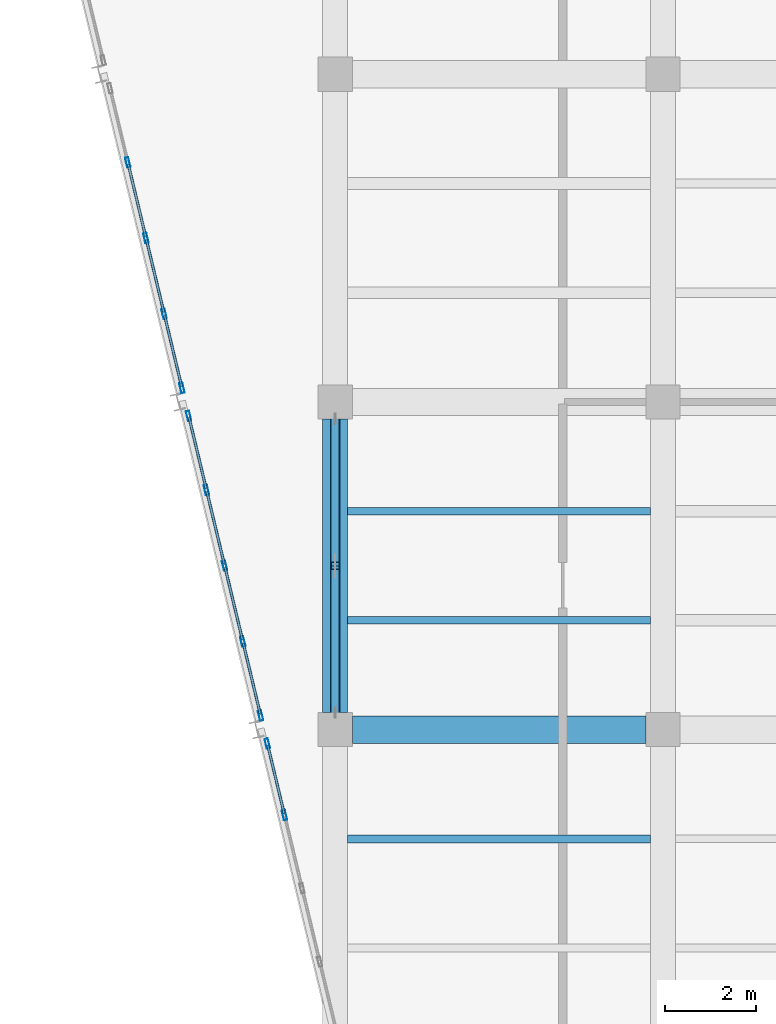
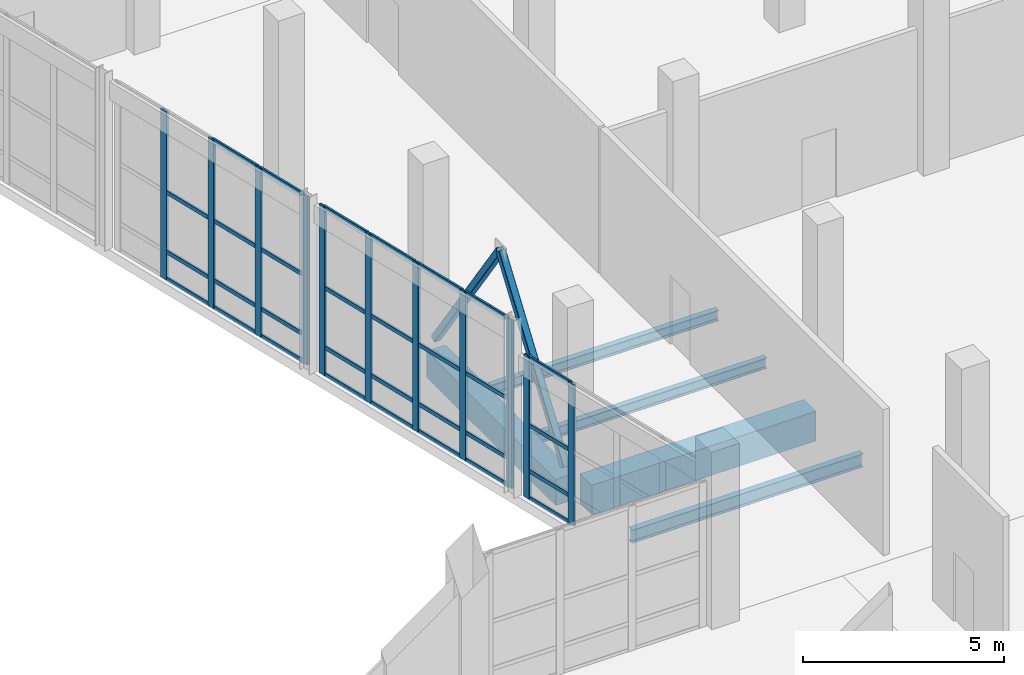
# One storey, part 71 of 137: 44 members, 5 beams, 3 elements without a shape of their own.
"""IFC4 building model written with IfcOpenShell, lengths in metres."""

from ifc_helpers import new_model, si_unit, direction, frame, origin, origin_2d, place, context, subcontext, project, spatial, rectangle, hollow_rectangle, i_section, extrude, material, material_profile, profile_set, type_object, element, aggregate, save


model = new_model("IFC4")

# Units and contexts
model_context = context("Model", 3, precision=1e-05, world=origin(), true_north=direction((0.0, 1.0)))
body_context = subcontext(model_context, "Body", "Model", "MODEL_VIEW")
ifc_project = project(units=[si_unit("LENGTHUNIT", "METRE"), si_unit("AREAUNIT", "SQUARE_METRE"), si_unit("VOLUMEUNIT", "CUBIC_METRE"), si_unit("PLANEANGLEUNIT", "RADIAN"), si_unit("MASSUNIT", "GRAM", prefix="KILO")], contexts=[model_context])

# Site, building, storey
site_placement = place(None, origin())
site = spatial("IfcSite", under=ifc_project, at=site_placement, CompositionType="ELEMENT")
building_placement = place(site_placement, origin())
building = spatial("IfcBuilding", under=site, at=building_placement, Name="Kalmorath City Hall", CompositionType="ELEMENT")
storey_placement = place(building_placement, origin())
storey = spatial("IfcBuildingStorey", under=building, at=storey_placement, Name="L00", CompositionType="ELEMENT", Elevation=0.0)

# Beams
ifc_material_1 = material(Name="Concrete C40/50", Category="concrete")
ifc_material_profile_1 = material_profile(ifc_material_1, rectangle(XDim=0.550048828125, YDim=0.800048828125, at=origin_2d()), Name="RC-BM-550X800")
ifc_profile_set_1 = profile_set([ifc_material_profile_1], Name="Concrete C40/50")
beam_type_1 = type_object("IfcBeamType", Name="Concrete floor girder 550x800", PredefinedType="BEAM", material=ifc_profile_set_1)
beam_1_placement = place(storey_placement, frame((136.800048828125, 50.77490234375, -0.7041015625), z_axis=(0.0, 1.0, 0.0), x_axis=(-1.0, 0.0, 0.0)))
element("IfcBeam", 1, at=beam_1_placement, inside=storey, type_object=beam_type_1, Name="L00 girder CB2 Y20/8-9", PredefinedType="BEAM", context=body_context, shape_type="SweptSolid", body=[
    extrude(rectangle(XDim=0.550048828125, YDim=0.800048828125, at=origin_2d()), origin(), (0.0, 0.0, 1.0), 6.4501953125),
])
ifc_material_2 = material(Name="Concrete C40/50", Category="concrete")
ifc_material_profile_2 = material_profile(ifc_material_2, rectangle(XDim=0.60009765625, YDim=0.89990234375, at=origin_2d()), Name="RC-BM-600X900")
ifc_profile_set_2 = profile_set([ifc_material_profile_2], Name="Concrete C40/50")
beam_type_2 = type_object("IfcBeamType", Name="Concrete floor girder 600x900", PredefinedType="BEAM", material=ifc_profile_set_2)
beam_2_placement = place(storey_placement, frame((137.175048828125, 50.39990234375, -0.75390625), z_axis=(1.0, 0.0, 0.0), x_axis=(0.0, 1.0, 0.0)))
element("IfcBeam", 2, at=beam_2_placement, inside=storey, type_object=beam_type_2, Name="L00 girder CB1 X20-21/8", PredefinedType="BEAM", context=body_context, shape_type="SweptSolid", body=[
    extrude(rectangle(XDim=0.60009765625, YDim=0.89990234375, at=origin_2d()), origin(), (0.0, 0.0, 1.0), 6.449951171875),
])

# Curtain wall, members
ifc_material_3 = material(Name="Anodised aluminium and laminated glass", Category="aluminium")
curtain_wall_type_1 = type_object("IfcCurtainWallType", Name="Unitised hurricane curtain wall 6623x4311 M1850", PredefinedType="NOTDEFINED", material=ifc_material_3)
curtain_wall_1_placement = place(storey_placement, origin())
curtain_wall_1 = element("IfcCurtainWall", 3, at=curtain_wall_1_placement, inside=storey, type_object=curtain_wall_type_1, Name="L00 curtain wall CW-66X43M18 #41", PredefinedType="NOTDEFINED")
ifc_material_4 = material(Name="Anodised aluminium framing", Category="aluminium")
ifc_material_profile_3 = material_profile(ifc_material_4, hollow_rectangle(XDim=0.06005859375, YDim=0.1298828125, WallThickness=0.00341796875, InnerFilletRadius=0.00341796875, OuterFilletRadius=0.007080078125, at=origin_2d()), Name="ALU-TRN-130X60X3.5")
ifc_profile_set_3 = profile_set([ifc_material_profile_3], Name="Anodised aluminium framing")
member_type_1 = type_object("IfcMemberType", Name="Curtain-wall courtyard transom 130x60", PredefinedType="USERDEFINED", material=ifc_profile_set_3)
member_1_placement = place(storey_placement, frame((135.678466796875, 48.556396484375, 0.030029296875), z_axis=(-0.233480641093, 0.972361450406, 0.0), x_axis=(-0.972361450406, -0.233480641093, 0.0)))
member_1 = element("IfcMember", 4, at=member_1_placement, type_object=member_type_1, Name="CW-66X43M18 transom 4.1", ObjectType="TRANSOM", PredefinedType="USERDEFINED", context=body_context, shape_type="SweptSolid", body=[
    extrude(hollow_rectangle(XDim=0.06005859375, YDim=0.1298828125, WallThickness=0.00341796875, InnerFilletRadius=0.00341796875, OuterFilletRadius=0.007080078125, at=origin_2d()), origin(), (0.0, 0.0, 1.0), 1.54345703125),
])
member_2_placement = place(storey_placement, frame((135.678466796875, 48.556396484375, 0.85009765625), z_axis=(-0.233480641093, 0.972361450406, 0.0), x_axis=(-0.972361450406, -0.233480641093, 0.0)))
member_2 = element("IfcMember", 5, at=member_2_placement, type_object=member_type_1, Name="CW-66X43M18 transom 4.2", ObjectType="TRANSOM", PredefinedType="USERDEFINED", context=body_context, shape_type="SweptSolid", body=[
    extrude(hollow_rectangle(XDim=0.06005859375, YDim=0.1298828125, WallThickness=0.00341796875, InnerFilletRadius=0.00341796875, OuterFilletRadius=0.007080078125, at=origin_2d()), origin(), (0.0, 0.0, 1.0), 1.54345703125),
])
member_3_placement = place(storey_placement, frame((135.678466796875, 48.556396484375, 2.241943359375), z_axis=(-0.233480641093, 0.972361450406, 0.0), x_axis=(-0.972361450406, -0.233480641093, 0.0)))
member_3 = element("IfcMember", 6, at=member_3_placement, type_object=member_type_1, Name="CW-66X43M18 transom 4.3", ObjectType="TRANSOM", PredefinedType="USERDEFINED", context=body_context, shape_type="SweptSolid", body=[
    extrude(hollow_rectangle(XDim=0.06005859375, YDim=0.1298828125, WallThickness=0.00341796875, InnerFilletRadius=0.00341796875, OuterFilletRadius=0.007080078125, at=origin_2d()), origin(), (0.0, 0.0, 1.0), 1.54345703125),
])
member_4_placement = place(storey_placement, frame((135.678466796875, 48.556396484375, 4.281005859375), z_axis=(-0.233480641093, 0.972361450406, 0.0), x_axis=(-0.972361450406, -0.233480641093, 0.0)))
member_4 = element("IfcMember", 7, at=member_4_placement, type_object=member_type_1, Name="CW-66X43M18 transom 4.4", ObjectType="TRANSOM", PredefinedType="USERDEFINED", context=body_context, shape_type="SweptSolid", body=[
    extrude(hollow_rectangle(XDim=0.06005859375, YDim=0.1298828125, WallThickness=0.00341796875, InnerFilletRadius=0.00341796875, OuterFilletRadius=0.007080078125, at=origin_2d()), origin(), (0.0, 0.0, 1.0), 1.54345703125),
])

ifc_material_5 = material(Name="Anodised aluminium and laminated glass", Category="aluminium")
curtain_wall_type_2 = type_object("IfcCurtainWallType", Name="Unitised hurricane curtain wall 6849x5120 M1850", PredefinedType="NOTDEFINED", material=ifc_material_5)
curtain_wall_2_placement = place(storey_placement, origin())
curtain_wall_2 = element("IfcCurtainWall", 8, at=curtain_wall_2_placement, inside=storey, type_object=curtain_wall_type_2, Name="L00 curtain wall CW-68X51M18 #42", PredefinedType="NOTDEFINED")
member_5_placement = place(storey_placement, frame((135.153564453125, 50.742919921875, 0.030029296875), z_axis=(-0.233476838675, 0.972362363423, 0.0), x_axis=(-0.972362363423, -0.233476838675, 0.0)))
member_5 = element("IfcMember", 9, at=member_5_placement, type_object=member_type_1, Name="CW-68X51M18 transom 1.1", ObjectType="TRANSOM", PredefinedType="USERDEFINED", context=body_context, shape_type="SweptSolid", body=[
    extrude(hollow_rectangle(XDim=0.06005859375, YDim=0.1298828125, WallThickness=0.00341796875, InnerFilletRadius=0.00341796875, OuterFilletRadius=0.007080078125, at=origin_2d()), origin(), (0.0, 0.0, 1.0), 1.599853515625),
])
member_6_placement = place(storey_placement, frame((135.153564453125, 50.742919921875, 0.85009765625), z_axis=(-0.233476838675, 0.972362363423, 0.0), x_axis=(-0.972362363423, -0.233476838675, 0.0)))
member_6 = element("IfcMember", 10, at=member_6_placement, type_object=member_type_1, Name="CW-68X51M18 transom 1.2", ObjectType="TRANSOM", PredefinedType="USERDEFINED", context=body_context, shape_type="SweptSolid", body=[
    extrude(hollow_rectangle(XDim=0.06005859375, YDim=0.1298828125, WallThickness=0.00341796875, InnerFilletRadius=0.00341796875, OuterFilletRadius=0.007080078125, at=origin_2d()), origin(), (0.0, 0.0, 1.0), 1.599853515625),
])
member_7_placement = place(storey_placement, frame((135.153564453125, 50.742919921875, 2.662109375), z_axis=(-0.233476838675, 0.972362363423, 0.0), x_axis=(-0.972362363423, -0.233476838675, 0.0)))
member_7 = element("IfcMember", 11, at=member_7_placement, type_object=member_type_1, Name="CW-68X51M18 transom 1.3", ObjectType="TRANSOM", PredefinedType="USERDEFINED", context=body_context, shape_type="SweptSolid", body=[
    extrude(hollow_rectangle(XDim=0.06005859375, YDim=0.1298828125, WallThickness=0.00341796875, InnerFilletRadius=0.00341796875, OuterFilletRadius=0.007080078125, at=origin_2d()), origin(), (0.0, 0.0, 1.0), 1.599853515625),
])
member_8_placement = place(storey_placement, frame((135.153564453125, 50.742919921875, 5.090087890625), z_axis=(-0.233476838675, 0.972362363423, 0.0), x_axis=(-0.972362363423, -0.233476838675, 0.0)))
member_8 = element("IfcMember", 12, at=member_8_placement, type_object=member_type_1, Name="CW-68X51M18 transom 1.4", ObjectType="TRANSOM", PredefinedType="USERDEFINED", context=body_context, shape_type="SweptSolid", body=[
    extrude(hollow_rectangle(XDim=0.06005859375, YDim=0.1298828125, WallThickness=0.00341796875, InnerFilletRadius=0.00341796875, OuterFilletRadius=0.007080078125, at=origin_2d()), origin(), (0.0, 0.0, 1.0), 1.599853515625),
])
member_9_placement = place(storey_placement, frame((134.7626953125, 52.37158203125, 0.030029296875), z_axis=(-0.233508300868, 0.972354808404, 0.0), x_axis=(-0.972354808404, -0.233508300868, 0.0)))
member_9 = element("IfcMember", 13, at=member_9_placement, type_object=member_type_1, Name="CW-68X51M18 transom 2.1", ObjectType="TRANSOM", PredefinedType="USERDEFINED", context=body_context, shape_type="SweptSolid", body=[
    extrude(hollow_rectangle(XDim=0.06005859375, YDim=0.1298828125, WallThickness=0.00341796875, InnerFilletRadius=0.00341796875, OuterFilletRadius=0.007080078125, at=origin_2d()), origin(), (0.0, 0.0, 1.0), 1.63720703125),
])
member_10_placement = place(storey_placement, frame((134.7626953125, 52.37158203125, 0.85009765625), z_axis=(-0.233508300868, 0.972354808404, 0.0), x_axis=(-0.972354808404, -0.233508300868, 0.0)))
member_10 = element("IfcMember", 14, at=member_10_placement, type_object=member_type_1, Name="CW-68X51M18 transom 2.2", ObjectType="TRANSOM", PredefinedType="USERDEFINED", context=body_context, shape_type="SweptSolid", body=[
    extrude(hollow_rectangle(XDim=0.06005859375, YDim=0.1298828125, WallThickness=0.00341796875, InnerFilletRadius=0.00341796875, OuterFilletRadius=0.007080078125, at=origin_2d()), origin(), (0.0, 0.0, 1.0), 1.63720703125),
])
member_11_placement = place(storey_placement, frame((134.7626953125, 52.37158203125, 2.662109375), z_axis=(-0.233508300868, 0.972354808404, 0.0), x_axis=(-0.972354808404, -0.233508300868, 0.0)))
member_11 = element("IfcMember", 15, at=member_11_placement, type_object=member_type_1, Name="CW-68X51M18 transom 2.3", ObjectType="TRANSOM", PredefinedType="USERDEFINED", context=body_context, shape_type="SweptSolid", body=[
    extrude(hollow_rectangle(XDim=0.06005859375, YDim=0.1298828125, WallThickness=0.00341796875, InnerFilletRadius=0.00341796875, OuterFilletRadius=0.007080078125, at=origin_2d()), origin(), (0.0, 0.0, 1.0), 1.63720703125),
])
member_12_placement = place(storey_placement, frame((134.7626953125, 52.37158203125, 5.090087890625), z_axis=(-0.233508300868, 0.972354808404, 0.0), x_axis=(-0.972354808404, -0.233508300868, 0.0)))
member_12 = element("IfcMember", 16, at=member_12_placement, type_object=member_type_1, Name="CW-68X51M18 transom 2.4", ObjectType="TRANSOM", PredefinedType="USERDEFINED", context=body_context, shape_type="SweptSolid", body=[
    extrude(hollow_rectangle(XDim=0.06005859375, YDim=0.1298828125, WallThickness=0.00341796875, InnerFilletRadius=0.00341796875, OuterFilletRadius=0.007080078125, at=origin_2d()), origin(), (0.0, 0.0, 1.0), 1.63720703125),
])
member_13_placement = place(storey_placement, frame((134.36279296875, 54.036376953125, 0.030029296875), z_axis=(-0.233367312665, 0.972388655518, 0.0), x_axis=(-0.972388655518, -0.233367312665, 0.0)))
member_13 = element("IfcMember", 17, at=member_13_placement, type_object=member_type_1, Name="CW-68X51M18 transom 3.1", ObjectType="TRANSOM", PredefinedType="USERDEFINED", context=body_context, shape_type="SweptSolid", body=[
    extrude(hollow_rectangle(XDim=0.06005859375, YDim=0.1298828125, WallThickness=0.00341796875, InnerFilletRadius=0.00341796875, OuterFilletRadius=0.007080078125, at=origin_2d()), origin(), (0.0, 0.0, 1.0), 1.63720703125),
])
member_14_placement = place(storey_placement, frame((134.36279296875, 54.036376953125, 0.85009765625), z_axis=(-0.233367312665, 0.972388655518, 0.0), x_axis=(-0.972388655518, -0.233367312665, 0.0)))
member_14 = element("IfcMember", 18, at=member_14_placement, type_object=member_type_1, Name="CW-68X51M18 transom 3.2", ObjectType="TRANSOM", PredefinedType="USERDEFINED", context=body_context, shape_type="SweptSolid", body=[
    extrude(hollow_rectangle(XDim=0.06005859375, YDim=0.1298828125, WallThickness=0.00341796875, InnerFilletRadius=0.00341796875, OuterFilletRadius=0.007080078125, at=origin_2d()), origin(), (0.0, 0.0, 1.0), 1.63720703125),
])
member_15_placement = place(storey_placement, frame((134.36279296875, 54.036376953125, 2.662109375), z_axis=(-0.233367312665, 0.972388655518, 0.0), x_axis=(-0.972388655518, -0.233367312665, 0.0)))
member_15 = element("IfcMember", 19, at=member_15_placement, type_object=member_type_1, Name="CW-68X51M18 transom 3.3", ObjectType="TRANSOM", PredefinedType="USERDEFINED", context=body_context, shape_type="SweptSolid", body=[
    extrude(hollow_rectangle(XDim=0.06005859375, YDim=0.1298828125, WallThickness=0.00341796875, InnerFilletRadius=0.00341796875, OuterFilletRadius=0.007080078125, at=origin_2d()), origin(), (0.0, 0.0, 1.0), 1.63720703125),
])
member_16_placement = place(storey_placement, frame((134.36279296875, 54.036376953125, 5.090087890625), z_axis=(-0.233367312665, 0.972388655518, 0.0), x_axis=(-0.972388655518, -0.233367312665, 0.0)))
member_16 = element("IfcMember", 20, at=member_16_placement, type_object=member_type_1, Name="CW-68X51M18 transom 3.4", ObjectType="TRANSOM", PredefinedType="USERDEFINED", context=body_context, shape_type="SweptSolid", body=[
    extrude(hollow_rectangle(XDim=0.06005859375, YDim=0.1298828125, WallThickness=0.00341796875, InnerFilletRadius=0.00341796875, OuterFilletRadius=0.007080078125, at=origin_2d()), origin(), (0.0, 0.0, 1.0), 1.63720703125),
])
member_17_placement = place(storey_placement, frame((133.963134765625, 55.701416015625, 0.030029296875), z_axis=(-0.233476838675, 0.972362363423, 0.0), x_axis=(-0.972362363423, -0.233476838675, 0.0)))
member_17 = element("IfcMember", 21, at=member_17_placement, type_object=member_type_1, Name="CW-68X51M18 transom 4.1", ObjectType="TRANSOM", PredefinedType="USERDEFINED", context=body_context, shape_type="SweptSolid", body=[
    extrude(hollow_rectangle(XDim=0.06005859375, YDim=0.1298828125, WallThickness=0.00341796875, InnerFilletRadius=0.00341796875, OuterFilletRadius=0.007080078125, at=origin_2d()), origin(), (0.0, 0.0, 1.0), 1.599853515625),
])
member_18_placement = place(storey_placement, frame((133.963134765625, 55.701416015625, 0.85009765625), z_axis=(-0.233476838675, 0.972362363423, 0.0), x_axis=(-0.972362363423, -0.233476838675, 0.0)))
member_18 = element("IfcMember", 22, at=member_18_placement, type_object=member_type_1, Name="CW-68X51M18 transom 4.2", ObjectType="TRANSOM", PredefinedType="USERDEFINED", context=body_context, shape_type="SweptSolid", body=[
    extrude(hollow_rectangle(XDim=0.06005859375, YDim=0.1298828125, WallThickness=0.00341796875, InnerFilletRadius=0.00341796875, OuterFilletRadius=0.007080078125, at=origin_2d()), origin(), (0.0, 0.0, 1.0), 1.599853515625),
])
member_19_placement = place(storey_placement, frame((133.963134765625, 55.701416015625, 2.662109375), z_axis=(-0.233476838675, 0.972362363423, 0.0), x_axis=(-0.972362363423, -0.233476838675, 0.0)))
member_19 = element("IfcMember", 23, at=member_19_placement, type_object=member_type_1, Name="CW-68X51M18 transom 4.3", ObjectType="TRANSOM", PredefinedType="USERDEFINED", context=body_context, shape_type="SweptSolid", body=[
    extrude(hollow_rectangle(XDim=0.06005859375, YDim=0.1298828125, WallThickness=0.00341796875, InnerFilletRadius=0.00341796875, OuterFilletRadius=0.007080078125, at=origin_2d()), origin(), (0.0, 0.0, 1.0), 1.599853515625),
])
member_20_placement = place(storey_placement, frame((133.963134765625, 55.701416015625, 5.090087890625), z_axis=(-0.233476838675, 0.972362363423, 0.0), x_axis=(-0.972362363423, -0.233476838675, 0.0)))
member_20 = element("IfcMember", 24, at=member_20_placement, type_object=member_type_1, Name="CW-68X51M18 transom 4.4", ObjectType="TRANSOM", PredefinedType="USERDEFINED", context=body_context, shape_type="SweptSolid", body=[
    extrude(hollow_rectangle(XDim=0.06005859375, YDim=0.1298828125, WallThickness=0.00341796875, InnerFilletRadius=0.00341796875, OuterFilletRadius=0.007080078125, at=origin_2d()), origin(), (0.0, 0.0, 1.0), 1.599853515625),
])

curtain_wall_3_placement = place(storey_placement, origin())
curtain_wall_3 = element("IfcCurtainWall", 25, at=curtain_wall_3_placement, inside=storey, type_object=curtain_wall_type_2, Name="L00 curtain wall CW-68X51M18 #43", PredefinedType="NOTDEFINED")
member_21_placement = place(storey_placement, frame((133.425048828125, 57.94287109375, 0.030029296875), z_axis=(-0.233476838675, 0.972362363423, 0.0), x_axis=(-0.972362363423, -0.233476838675, 0.0)))
member_21 = element("IfcMember", 26, at=member_21_placement, type_object=member_type_1, Name="CW-68X51M18 transom 1.1", ObjectType="TRANSOM", PredefinedType="USERDEFINED", context=body_context, shape_type="SweptSolid", body=[
    extrude(hollow_rectangle(XDim=0.06005859375, YDim=0.1298828125, WallThickness=0.00341796875, InnerFilletRadius=0.00341796875, OuterFilletRadius=0.007080078125, at=origin_2d()), origin(), (0.0, 0.0, 1.0), 1.599853515625),
])
member_22_placement = place(storey_placement, frame((133.425048828125, 57.94287109375, 0.85009765625), z_axis=(-0.233476838675, 0.972362363423, 0.0), x_axis=(-0.972362363423, -0.233476838675, 0.0)))
member_22 = element("IfcMember", 27, at=member_22_placement, type_object=member_type_1, Name="CW-68X51M18 transom 1.2", ObjectType="TRANSOM", PredefinedType="USERDEFINED", context=body_context, shape_type="SweptSolid", body=[
    extrude(hollow_rectangle(XDim=0.06005859375, YDim=0.1298828125, WallThickness=0.00341796875, InnerFilletRadius=0.00341796875, OuterFilletRadius=0.007080078125, at=origin_2d()), origin(), (0.0, 0.0, 1.0), 1.599853515625),
])
member_23_placement = place(storey_placement, frame((133.425048828125, 57.94287109375, 2.662109375), z_axis=(-0.233476838675, 0.972362363423, 0.0), x_axis=(-0.972362363423, -0.233476838675, 0.0)))
member_23 = element("IfcMember", 28, at=member_23_placement, type_object=member_type_1, Name="CW-68X51M18 transom 1.3", ObjectType="TRANSOM", PredefinedType="USERDEFINED", context=body_context, shape_type="SweptSolid", body=[
    extrude(hollow_rectangle(XDim=0.06005859375, YDim=0.1298828125, WallThickness=0.00341796875, InnerFilletRadius=0.00341796875, OuterFilletRadius=0.007080078125, at=origin_2d()), origin(), (0.0, 0.0, 1.0), 1.599853515625),
])
member_24_placement = place(storey_placement, frame((133.425048828125, 57.94287109375, 5.090087890625), z_axis=(-0.233476838675, 0.972362363423, 0.0), x_axis=(-0.972362363423, -0.233476838675, 0.0)))
member_24 = element("IfcMember", 29, at=member_24_placement, type_object=member_type_1, Name="CW-68X51M18 transom 1.4", ObjectType="TRANSOM", PredefinedType="USERDEFINED", context=body_context, shape_type="SweptSolid", body=[
    extrude(hollow_rectangle(XDim=0.06005859375, YDim=0.1298828125, WallThickness=0.00341796875, InnerFilletRadius=0.00341796875, OuterFilletRadius=0.007080078125, at=origin_2d()), origin(), (0.0, 0.0, 1.0), 1.599853515625),
])
member_25_placement = place(storey_placement, frame((133.033935546875, 59.571533203125, 0.030029296875), z_axis=(-0.233367312665, 0.972388655518, 0.0), x_axis=(-0.972388655518, -0.233367312665, 0.0)))
member_25 = element("IfcMember", 30, at=member_25_placement, type_object=member_type_1, Name="CW-68X51M18 transom 2.1", ObjectType="TRANSOM", PredefinedType="USERDEFINED", context=body_context, shape_type="SweptSolid", body=[
    extrude(hollow_rectangle(XDim=0.06005859375, YDim=0.1298828125, WallThickness=0.00341796875, InnerFilletRadius=0.00341796875, OuterFilletRadius=0.007080078125, at=origin_2d()), origin(), (0.0, 0.0, 1.0), 1.63720703125),
])
member_26_placement = place(storey_placement, frame((133.033935546875, 59.571533203125, 0.85009765625), z_axis=(-0.233367312665, 0.972388655518, 0.0), x_axis=(-0.972388655518, -0.233367312665, 0.0)))
member_26 = element("IfcMember", 31, at=member_26_placement, type_object=member_type_1, Name="CW-68X51M18 transom 2.2", ObjectType="TRANSOM", PredefinedType="USERDEFINED", context=body_context, shape_type="SweptSolid", body=[
    extrude(hollow_rectangle(XDim=0.06005859375, YDim=0.1298828125, WallThickness=0.00341796875, InnerFilletRadius=0.00341796875, OuterFilletRadius=0.007080078125, at=origin_2d()), origin(), (0.0, 0.0, 1.0), 1.63720703125),
])
member_27_placement = place(storey_placement, frame((133.033935546875, 59.571533203125, 2.662109375), z_axis=(-0.233367312665, 0.972388655518, 0.0), x_axis=(-0.972388655518, -0.233367312665, 0.0)))
member_27 = element("IfcMember", 32, at=member_27_placement, type_object=member_type_1, Name="CW-68X51M18 transom 2.3", ObjectType="TRANSOM", PredefinedType="USERDEFINED", context=body_context, shape_type="SweptSolid", body=[
    extrude(hollow_rectangle(XDim=0.06005859375, YDim=0.1298828125, WallThickness=0.00341796875, InnerFilletRadius=0.00341796875, OuterFilletRadius=0.007080078125, at=origin_2d()), origin(), (0.0, 0.0, 1.0), 1.63720703125),
])
member_28_placement = place(storey_placement, frame((133.033935546875, 59.571533203125, 5.090087890625), z_axis=(-0.233367312665, 0.972388655518, 0.0), x_axis=(-0.972388655518, -0.233367312665, 0.0)))
member_28 = element("IfcMember", 33, at=member_28_placement, type_object=member_type_1, Name="CW-68X51M18 transom 2.4", ObjectType="TRANSOM", PredefinedType="USERDEFINED", context=body_context, shape_type="SweptSolid", body=[
    extrude(hollow_rectangle(XDim=0.06005859375, YDim=0.1298828125, WallThickness=0.00341796875, InnerFilletRadius=0.00341796875, OuterFilletRadius=0.007080078125, at=origin_2d()), origin(), (0.0, 0.0, 1.0), 1.63720703125),
])
member_29_placement = place(storey_placement, frame((132.63427734375, 61.236572265625, 0.030029296875), z_axis=(-0.233508300868, 0.972354808404, 0.0), x_axis=(-0.972354808404, -0.233508300868, 0.0)))
member_29 = element("IfcMember", 34, at=member_29_placement, type_object=member_type_1, Name="CW-68X51M18 transom 3.1", ObjectType="TRANSOM", PredefinedType="USERDEFINED", context=body_context, shape_type="SweptSolid", body=[
    extrude(hollow_rectangle(XDim=0.06005859375, YDim=0.1298828125, WallThickness=0.00341796875, InnerFilletRadius=0.00341796875, OuterFilletRadius=0.007080078125, at=origin_2d()), origin(), (0.0, 0.0, 1.0), 1.63720703125),
])
member_30_placement = place(storey_placement, frame((132.63427734375, 61.236572265625, 0.85009765625), z_axis=(-0.233508300868, 0.972354808404, 0.0), x_axis=(-0.972354808404, -0.233508300868, 0.0)))
member_30 = element("IfcMember", 35, at=member_30_placement, type_object=member_type_1, Name="CW-68X51M18 transom 3.2", ObjectType="TRANSOM", PredefinedType="USERDEFINED", context=body_context, shape_type="SweptSolid", body=[
    extrude(hollow_rectangle(XDim=0.06005859375, YDim=0.1298828125, WallThickness=0.00341796875, InnerFilletRadius=0.00341796875, OuterFilletRadius=0.007080078125, at=origin_2d()), origin(), (0.0, 0.0, 1.0), 1.63720703125),
])
member_31_placement = place(storey_placement, frame((132.63427734375, 61.236572265625, 2.662109375), z_axis=(-0.233508300868, 0.972354808404, 0.0), x_axis=(-0.972354808404, -0.233508300868, 0.0)))
member_31 = element("IfcMember", 36, at=member_31_placement, type_object=member_type_1, Name="CW-68X51M18 transom 3.3", ObjectType="TRANSOM", PredefinedType="USERDEFINED", context=body_context, shape_type="SweptSolid", body=[
    extrude(hollow_rectangle(XDim=0.06005859375, YDim=0.1298828125, WallThickness=0.00341796875, InnerFilletRadius=0.00341796875, OuterFilletRadius=0.007080078125, at=origin_2d()), origin(), (0.0, 0.0, 1.0), 1.63720703125),
])

# Member
ifc_material_6 = material(Name="Anodised aluminium framing", Category="aluminium")
ifc_material_profile_4 = material_profile(ifc_material_6, hollow_rectangle(XDim=0.074951171875, YDim=0.219970703125, WallThickness=0.00390625, InnerFilletRadius=0.00390625, OuterFilletRadius=0.008056640625, at=origin_2d()), Name="ALU-MUL-220X75X4")
ifc_profile_set_4 = profile_set([ifc_material_profile_4], Name="Anodised aluminium framing")
member_type_2 = type_object("IfcMemberType", Name="Curtain-wall primary mullion 220x75", PredefinedType="MULLION", material=ifc_profile_set_4)
member_32_placement = place(storey_placement, frame((135.687255859375, 48.52001953125, 0.0), z_axis=(0.0, 0.0, 1.0), x_axis=(-0.972366739997, -0.233458610779, 0.0)))
member_32 = element("IfcMember", 37, at=member_32_placement, type_object=member_type_2, Name="CW-66X43M18 mullion 4", PredefinedType="MULLION", context=body_context, shape_type="SweptSolid", body=[
    extrude(hollow_rectangle(XDim=0.074951171875, YDim=0.219970703125, WallThickness=0.00390625, InnerFilletRadius=0.00390625, OuterFilletRadius=0.008056640625, at=origin_2d()), origin(), (0.0, 0.0, 1.0), 4.31103515625),
])

member_33_placement = place(storey_placement, frame((135.3095703125, 50.093505859375, 0.0), z_axis=(0.0, 0.0, 1.0), x_axis=(-0.972366739997, -0.233458610779, 0.0)))
member_33 = element("IfcMember", 38, at=member_33_placement, type_object=member_type_2, Name="CW-66X43M18 mullion 5", PredefinedType="MULLION", context=body_context, shape_type="SweptSolid", body=[
    extrude(hollow_rectangle(XDim=0.074951171875, YDim=0.219970703125, WallThickness=0.00390625, InnerFilletRadius=0.00390625, OuterFilletRadius=0.008056640625, at=origin_2d()), origin(), (0.0, 0.0, 1.0), 4.31103515625),
])

aggregate(curtain_wall_1, [member_32, member_33, member_1, member_2, member_3, member_4])

member_34_placement = place(storey_placement, frame((135.162353515625, 50.70654296875, 0.0), z_axis=(0.0, 0.0, 1.0), x_axis=(-0.97236741933, -0.233455781305, 0.0)))
member_34 = element("IfcMember", 39, at=member_34_placement, type_object=member_type_2, Name="CW-68X51M18 mullion 1", PredefinedType="MULLION", context=body_context, shape_type="SweptSolid", body=[
    extrude(hollow_rectangle(XDim=0.074951171875, YDim=0.219970703125, WallThickness=0.00390625, InnerFilletRadius=0.00390625, OuterFilletRadius=0.008056640625, at=origin_2d()), origin(), (0.0, 0.0, 1.0), 5.1201171875),
])

member_35_placement = place(storey_placement, frame((134.771240234375, 52.3349609375, 0.0), z_axis=(0.0, 0.0, 1.0), x_axis=(-0.97236741933, -0.233455781305, 0.0)))
member_35 = element("IfcMember", 40, at=member_35_placement, type_object=member_type_2, Name="CW-68X51M18 mullion 2", PredefinedType="MULLION", context=body_context, shape_type="SweptSolid", body=[
    extrude(hollow_rectangle(XDim=0.074951171875, YDim=0.219970703125, WallThickness=0.00390625, InnerFilletRadius=0.00390625, OuterFilletRadius=0.008056640625, at=origin_2d()), origin(), (0.0, 0.0, 1.0), 5.1201171875),
])

member_36_placement = place(storey_placement, frame((134.37158203125, 54.0, 0.0), z_axis=(0.0, 0.0, 1.0), x_axis=(-0.97236741933, -0.233455781305, 0.0)))
member_36 = element("IfcMember", 41, at=member_36_placement, type_object=member_type_2, Name="CW-68X51M18 mullion 3", PredefinedType="MULLION", context=body_context, shape_type="SweptSolid", body=[
    extrude(hollow_rectangle(XDim=0.074951171875, YDim=0.219970703125, WallThickness=0.00390625, InnerFilletRadius=0.00390625, OuterFilletRadius=0.008056640625, at=origin_2d()), origin(), (0.0, 0.0, 1.0), 5.1201171875),
])

member_37_placement = place(storey_placement, frame((133.971923828125, 55.6650390625, 0.0), z_axis=(0.0, 0.0, 1.0), x_axis=(-0.97236741933, -0.233455781305, 0.0)))
member_37 = element("IfcMember", 42, at=member_37_placement, type_object=member_type_2, Name="CW-68X51M18 mullion 4", PredefinedType="MULLION", context=body_context, shape_type="SweptSolid", body=[
    extrude(hollow_rectangle(XDim=0.074951171875, YDim=0.219970703125, WallThickness=0.00390625, InnerFilletRadius=0.00390625, OuterFilletRadius=0.008056640625, at=origin_2d()), origin(), (0.0, 0.0, 1.0), 5.1201171875),
])

member_38_placement = place(storey_placement, frame((133.580810546875, 57.29345703125, 0.0), z_axis=(0.0, 0.0, 1.0), x_axis=(-0.97236741933, -0.233455781305, 0.0)))
member_38 = element("IfcMember", 43, at=member_38_placement, type_object=member_type_2, Name="CW-68X51M18 mullion 5", PredefinedType="MULLION", context=body_context, shape_type="SweptSolid", body=[
    extrude(hollow_rectangle(XDim=0.074951171875, YDim=0.219970703125, WallThickness=0.00390625, InnerFilletRadius=0.00390625, OuterFilletRadius=0.008056640625, at=origin_2d()), origin(), (0.0, 0.0, 1.0), 5.1201171875),
])

aggregate(curtain_wall_2, [member_34, member_35, member_36, member_37, member_38, member_5, member_6, member_7, member_8, member_9, member_10, member_11, member_12, member_13, member_14, member_15, member_16, member_17, member_18, member_19, member_20])

member_39_placement = place(storey_placement, frame((133.433837890625, 57.906494140625, 0.0), z_axis=(0.0, 0.0, 1.0), x_axis=(-0.97236741933, -0.233455781305, 0.0)))
member_39 = element("IfcMember", 44, at=member_39_placement, type_object=member_type_2, Name="CW-68X51M18 mullion 1", PredefinedType="MULLION", context=body_context, shape_type="SweptSolid", body=[
    extrude(hollow_rectangle(XDim=0.074951171875, YDim=0.219970703125, WallThickness=0.00390625, InnerFilletRadius=0.00390625, OuterFilletRadius=0.008056640625, at=origin_2d()), origin(), (0.0, 0.0, 1.0), 5.1201171875),
])

member_40_placement = place(storey_placement, frame((133.042724609375, 59.534912109375, 0.0), z_axis=(0.0, 0.0, 1.0), x_axis=(-0.97236741933, -0.233455781305, 0.0)))
member_40 = element("IfcMember", 45, at=member_40_placement, type_object=member_type_2, Name="CW-68X51M18 mullion 2", PredefinedType="MULLION", context=body_context, shape_type="SweptSolid", body=[
    extrude(hollow_rectangle(XDim=0.074951171875, YDim=0.219970703125, WallThickness=0.00390625, InnerFilletRadius=0.00390625, OuterFilletRadius=0.008056640625, at=origin_2d()), origin(), (0.0, 0.0, 1.0), 5.1201171875),
])

member_41_placement = place(storey_placement, frame((132.64306640625, 61.199951171875, 0.0), z_axis=(0.0, 0.0, 1.0), x_axis=(-0.97236741933, -0.233455781305, 0.0)))
member_41 = element("IfcMember", 46, at=member_41_placement, type_object=member_type_2, Name="CW-68X51M18 mullion 3", PredefinedType="MULLION", context=body_context, shape_type="SweptSolid", body=[
    extrude(hollow_rectangle(XDim=0.074951171875, YDim=0.219970703125, WallThickness=0.00390625, InnerFilletRadius=0.00390625, OuterFilletRadius=0.008056640625, at=origin_2d()), origin(), (0.0, 0.0, 1.0), 5.1201171875),
])

member_42_placement = place(storey_placement, frame((132.2431640625, 62.864990234375, 0.0), z_axis=(0.0, 0.0, 1.0), x_axis=(-0.97236741933, -0.233455781305, 0.0)))
member_42 = element("IfcMember", 47, at=member_42_placement, type_object=member_type_2, Name="CW-68X51M18 mullion 4", PredefinedType="MULLION", context=body_context, shape_type="SweptSolid", body=[
    extrude(hollow_rectangle(XDim=0.074951171875, YDim=0.219970703125, WallThickness=0.00390625, InnerFilletRadius=0.00390625, OuterFilletRadius=0.008056640625, at=origin_2d()), origin(), (0.0, 0.0, 1.0), 5.1201171875),
])

aggregate(curtain_wall_3, [member_39, member_40, member_41, member_42, member_21, member_22, member_23, member_24, member_25, member_26, member_27, member_28, member_29, member_30, member_31])

# Beams
ifc_material_7 = material(Name="Steel ASTM A992 Grade 50", Category="steel")
ifc_material_profile_5 = material_profile(ifc_material_7, i_section(OverallWidth=0.177001953125, OverallDepth=0.403076171875, WebThickness=0.007568359375, FlangeThickness=0.010986328125, FilletRadius=0.012939453125, at=origin_2d()), Name="W16X36")
ifc_profile_set_5 = profile_set([ifc_material_profile_5], Name="Steel ASTM A992 Grade 50")
beam_type_3 = type_object("IfcBeamType", Name="Steel composite joist W16X36", PredefinedType="JOIST", material=ifc_profile_set_5)
beam_3_placement = place(storey_placement, frame((137.074951171875, 48.0, -0.505615234375), z_axis=(1.0, 0.0, 0.0), x_axis=(0.0, 1.0, 0.0)))
element("IfcBeam", 48, at=beam_3_placement, inside=storey, type_object=beam_type_3, Name="L00 joist SJ7 20.7.2", PredefinedType="JOIST", context=body_context, shape_type="SweptSolid", body=[
    extrude(i_section(OverallWidth=0.177001953125, OverallDepth=0.403076171875, WebThickness=0.007568359375, FlangeThickness=0.010986328125, FilletRadius=0.012939453125, at=origin_2d()), origin(), (0.0, 0.0, 1.0), 6.650146484375),
])
ifc_material_8 = material(Name="Steel ASTM A992 Grade 50", Category="steel")
ifc_material_profile_6 = material_profile(ifc_material_8, i_section(OverallWidth=0.1669921875, OverallDepth=0.318115234375, WebThickness=0.007568359375, FlangeThickness=0.01318359375, FilletRadius=0.012939453125, at=origin_2d()), Name="W12X35")
ifc_profile_set_6 = profile_set([ifc_material_profile_6], Name="Steel ASTM A992 Grade 50")
beam_type_4 = type_object("IfcBeamType", Name="Steel header lintel W12X35", PredefinedType="LINTEL", material=ifc_profile_set_6)
for number, where, z_axis, x_axis, name in (
    (49, (137.074951171875, 52.800048828125, -0.462890625), (1.0, 0.0, 0.0), (0.0, 1.0, 0.0), "L00 joist SJ13 20.8.1"),
    (50, (137.074951171875, 55.199951171875, -0.462890625), (1.0, 0.0, 0.0), (0.0, 1.0, 0.0), "L00 joist SJ13 20.8.2"),
):
    element("IfcBeam", number, at=place(storey_placement, frame(where, z_axis=z_axis, x_axis=x_axis)), inside=storey, type_object=beam_type_4, Name=name, PredefinedType="LINTEL", context=body_context, shape_type="SweptSolid", body=[
        extrude(i_section(OverallWidth=0.1669921875, OverallDepth=0.318115234375, WebThickness=0.007568359375, FlangeThickness=0.01318359375, FilletRadius=0.012939453125, at=origin_2d()), origin(), (0.0, 0.0, 1.0), 6.650146484375),
    ])

# Members
ifc_material_9 = material(Name="Steel ASTM A500 Grade C", Category="steel")
ifc_material_profile_7 = material_profile(ifc_material_9, hollow_rectangle(XDim=0.202880859375, YDim=0.202880859375, WallThickness=0.01171875, InnerFilletRadius=0.01171875, OuterFilletRadius=0.023681640625, at=origin_2d()), Name="HSS203X203X12.7")
ifc_profile_set_7 = profile_set([ifc_material_profile_7], Name="Steel ASTM A500 Grade C")
member_type_3 = type_object("IfcMemberType", Name="Steel seismic chevron brace HSS203X203X12.7", PredefinedType="BRACE", material=ifc_profile_set_7)
for number, where, z_axis, x_axis, name in (
    (51, (136.800048828125, 50.77490234375, 0.0), (0.0, 0.572391686853, 0.819980339289), (-1.0, 0.0, 0.0), "L00 chevron brace BR2 5A"),
    (52, (136.800048828125, 57.22509765625, 0.0), (0.0, -0.572391686853, 0.819980339289), (1.0, 0.0, 0.0), "L00 chevron brace BR2 5B"),
):
    element("IfcMember", number, at=place(storey_placement, frame(where, z_axis=z_axis, x_axis=x_axis)), inside=storey, type_object=member_type_3, Name=name, PredefinedType="BRACE", context=body_context, shape_type="SweptSolid", body=[
        extrude(hollow_rectangle(XDim=0.202880859375, YDim=0.202880859375, WallThickness=0.01171875, InnerFilletRadius=0.01171875, OuterFilletRadius=0.023681640625, at=origin_2d()), origin(), (0.0, 0.0, 1.0), 5.634521484375),
    ])

save(model, "model.ifc")
